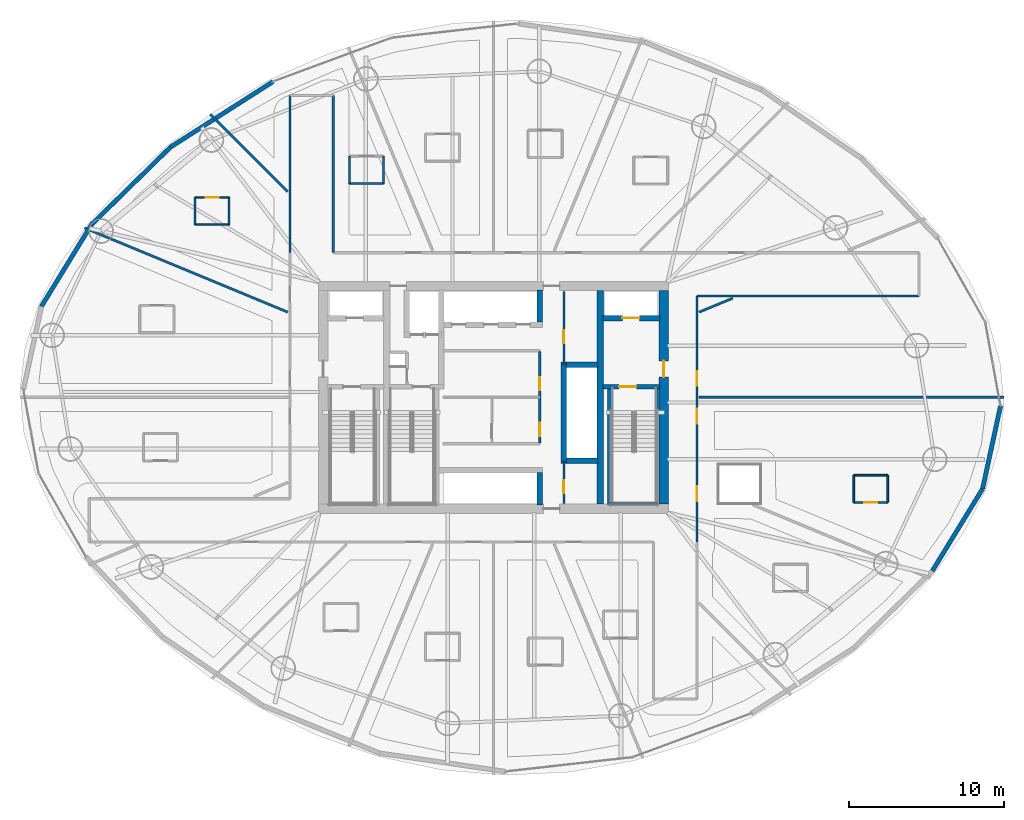
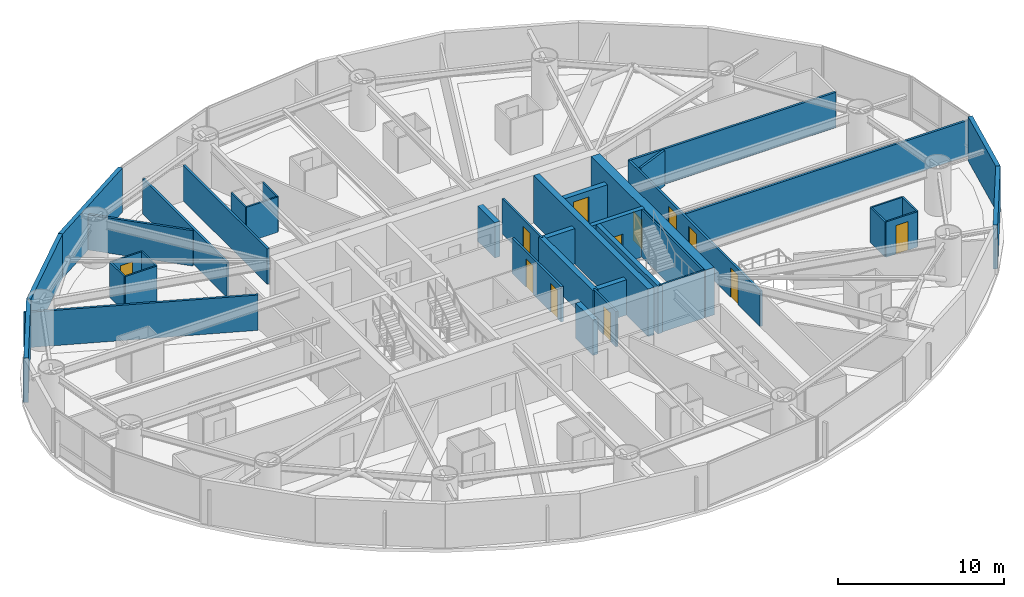
# One storey, part 21 of 27: 39 walls, 12 doors, 12 openings.
"""IFC4 building model written with IfcOpenShell, lengths in metres."""

from ifc_helpers import new_model, si_unit, direction, frame, frame_2d, origin, place, context, subcontext, project, spatial, rectangle, extrude, material, layer, layer_set, type_object, element, fill, save


model = new_model("IFC4")

# Units and contexts
model_context = context("Model", 3, precision=1e-05, world=origin(), true_north=direction((0.0, 1.0)))
body_context = subcontext(model_context, "Body", "Model", "MODEL_VIEW")
ifc_project = project(units=[si_unit("LENGTHUNIT", "METRE"), si_unit("AREAUNIT", "SQUARE_METRE"), si_unit("VOLUMEUNIT", "CUBIC_METRE"), si_unit("PLANEANGLEUNIT", "RADIAN"), si_unit("MASSUNIT", "GRAM", prefix="KILO")], contexts=[model_context])

# Site, building, storey
site_placement = place(None, origin())
site = spatial("IfcSite", under=ifc_project, at=site_placement, CompositionType="ELEMENT")
building_placement = place(site_placement, origin())
building = spatial("IfcBuilding", under=site, at=building_placement, Name="Bramvorn Convention Spire", CompositionType="ELEMENT")
storey_placement = place(building_placement, frame((0.0, 0.0, 41.39990234375)))
storey = spatial("IfcBuildingStorey", under=building, at=storey_placement, Name="L07", CompositionType="ELEMENT", Elevation=41.39990234375)

# Wall, opening, door
ifc_material_1 = material(Name="Concrete C60/70", Category="concrete")
ifc_layer_1 = layer(ifc_material_1, 0.60009765625)
ifc_layer_set_1 = layer_set([ifc_layer_1], Name="Concrete C60/70 - WL-CORE-600")
wall_type_1 = type_object("IfcWallType", Name="WL-CORE-600", PredefinedType="SHEAR", material=ifc_layer_set_1)
wall_1_placement = place(storey_placement, frame((49.0, 19.10009765625, 0.0), z_axis=(0.0, 0.0, 1.0), x_axis=(0.0, 1.0, 0.0)))
wall_1 = element("IfcWall", 1, at=wall_1_placement, inside=storey, type_object=wall_type_1, Name="L07 East RC core shear wall", PredefinedType="SHEAR", context=body_context, shape_type="SweptSolid", body=[
    extrude(rectangle(XDim=13.7998046875, YDim=0.60009765625, at=frame_2d((6.89990234375, 0.0))), origin(), (0.0, 0.0, 1.0), 3.5),
])
opening_1_placement = place(wall_1_placement, frame((8.199951171875, 0.0, 0.0)))
opening_1 = element("IfcOpeningElement", 2, at=opening_1_placement, cuts=wall_1, Name="Opening DL-105", PredefinedType="OPENING", context=body_context, shape_type="SweptSolid", body=[
    extrude(rectangle(XDim=1.050048828125, YDim=2.14990234375, at=frame_2d((0.52490234375, 1.074951171875))), frame((0.0, 0.31005859375, 0.0), z_axis=(0.0, -1.0, 0.0), x_axis=(1.0, 0.0, 0.0)), (0.0, 0.0, 1.0), 0.6201171875),
])
ifc_material_2 = material(Name="Smoke-Sealed Fire Lobby Timber-Core Door", Category="wood")
door_type_1 = type_object("IfcDoorType", Name="DR-LOBBY-1050", OperationType="NOTDEFINED", PredefinedType="DOOR", material=ifc_material_2)
door_1_placement = place(opening_1_placement, origin())
door_1 = element("IfcDoor", 3, at=door_1_placement, inside=storey, type_object=door_type_1, Name="L07 East Firefighting Lobby corridor door", OperationType="SINGLE_SWING_LEFT", OverallHeight=2.14990234375, OverallWidth=1.050048828125, PredefinedType="DOOR", context=body_context, shape_type="SweptSolid", body=[
    extrude(rectangle(XDim=1.050048828125, YDim=2.14990234375, at=frame_2d((0.52490234375, 1.074951171875))), frame((0.0, 0.02490234375, 0.0), z_axis=(0.0, -1.0, 0.0), x_axis=(1.0, 0.0, 0.0)), (0.0, 0.0, 1.0), 0.050048828125),
])
fill(opening_1, door_1)

ifc_material_3 = material(Name="Concrete C50/60", Category="concrete")
ifc_layer_2 = layer(ifc_material_3, 0.35009765625)
ifc_layer_set_2 = layer_set([ifc_layer_2], Name="Concrete C50/60 - WL-CORE-INT-350")
wall_type_2 = type_object("IfcWallType", Name="WL-CORE-INT-350", PredefinedType="SHEAR", material=ifc_layer_set_2)
wall_2_placement = place(storey_placement, frame((45.080078125, 31.1201171875, 0.0), z_axis=(0.0, 0.0, 1.0), x_axis=(1.0, 0.0, 0.0)))
wall_2 = element("IfcWall", 4, at=wall_2_placement, inside=storey, type_object=wall_type_2, Name="L07 FE2 shaft front wall", PredefinedType="SHEAR", context=body_context, shape_type="SweptSolid", body=[
    extrude(rectangle(XDim=3.669921875, YDim=0.35009765625, at=frame_2d((1.8349609375, 0.0))), origin(), (0.0, 0.0, 1.0), 2.60009765625),
])
opening_2_placement = place(wall_2_placement, frame((1.25, 0.0, 0.0)))
opening_2 = element("IfcOpeningElement", 5, at=opening_2_placement, cuts=wall_2, Name="Opening LD-110", PredefinedType="OPENING", context=body_context, shape_type="SweptSolid", body=[
    extrude(rectangle(XDim=1.10009765625, YDim=2.14990234375, at=frame_2d((0.550048828125, 1.074951171875))), frame((0.0, 0.18505859375, 0.0), z_axis=(0.0, -1.0, 0.0), x_axis=(1.0, 0.0, 0.0)), (0.0, 0.0, 1.0), 0.3701171875),
])
ifc_material_4 = material(Name="Firefighting & Service Lift Sliding Landing Door", Category="steel")
door_type_2 = type_object("IfcDoorType", Name="DR-LIFT-LD-1100", OperationType="NOTDEFINED", PredefinedType="DOOR", material=ifc_material_4)
door_2_placement = place(opening_2_placement, origin())
door_2 = element("IfcDoor", 6, at=door_2_placement, inside=storey, type_object=door_type_2, Name="L07 Lift FE2 Sliding Landing Door", OperationType="SLIDING_TO_LEFT", OverallHeight=2.14990234375, OverallWidth=1.10009765625, PredefinedType="DOOR", context=body_context, shape_type="SweptSolid", body=[
    extrude(rectangle(XDim=1.10009765625, YDim=2.14990234375, at=frame_2d((0.550048828125, 1.074951171875))), frame((0.0, 0.02490234375, 0.0), z_axis=(0.0, -1.0, 0.0), x_axis=(1.0, 0.0, 0.0)), (0.0, 0.0, 1.0), 0.050048828125),
])
fill(opening_2, door_2)

# Walls
wall_3_placement = place(storey_placement, frame((42.550048828125, 21.72998046875, 0.0), z_axis=(0.0, 0.0, 1.0), x_axis=(0.0, 1.0, 0.0)))
element("IfcWall", 7, at=wall_3_placement, inside=storey, type_object=wall_type_2, Name="L07 High-rise lift bank west wall", PredefinedType="SHEAR", context=body_context, shape_type="SweptSolid", body=[
    extrude(rectangle(XDim=6.5400390625, YDim=0.35009765625, at=frame_2d((3.27001953125, 0.0))), origin(), (0.0, 0.0, 1.0), 2.60009765625),
])
for number, where, z_axis, x_axis, name in (
    (8, (42.719970703125, 21.89990234375, 0.0), (0.0, 0.0, 1.0), (1.0, 0.0, 0.0), "L07 High-rise lift bank south wall"),
    (9, (42.719970703125, 28.10009765625, 0.0), (0.0, 0.0, 1.0), (1.0, 0.0, 0.0), "L07 High-rise lift bank north wall"),
):
    element("IfcWall", number, at=place(storey_placement, frame(where, z_axis=z_axis, x_axis=x_axis)), inside=storey, type_object=wall_type_2, Name=name, PredefinedType="SHEAR", context=body_context, shape_type="SweptSolid", body=[
        extrude(rectangle(XDim=2.030029296875, YDim=0.35009765625, at=frame_2d((1.01513671875, 0.0))), origin(), (0.0, 0.0, 1.0), 2.60009765625),
    ])
for number, where, z_axis, x_axis, name in (
    (10, (41.0, 30.8701171875, 0.0), (0.0, 0.0, 1.0), (0.0, 1.0, 0.0), "L07 Low-rise bank east cheek wall"),
    (11, (41.0, 19.050048828125, 0.0), (0.0, 0.0, 1.0), (0.0, 1.0, 0.0), "L07 Mid-rise bank east cheek wall"),
):
    element("IfcWall", number, at=place(storey_placement, frame(where, z_axis=z_axis, x_axis=x_axis)), inside=storey, type_object=wall_type_2, Name=name, PredefinedType="SHEAR", context=body_context, shape_type="SweptSolid", body=[
        extrude(rectangle(XDim=2.079833984375, YDim=0.35009765625, at=frame_2d((1.0400390625, 0.0))), origin(), (0.0, 0.0, 1.0), 2.60009765625),
    ])
ifc_layer_3 = layer(ifc_material_1, 0.39990234375)
ifc_layer_set_3 = layer_set([ifc_layer_3], Name="Concrete C60/70 - WL-CORE-INT-400")
wall_type_3 = type_object("IfcWallType", Name="WL-CORE-INT-400", PredefinedType="SHEAR", material=ifc_layer_set_3)
wall_4_placement = place(storey_placement, frame((44.89990234375, 19.10009765625, 0.0), z_axis=(0.0, 0.0, 1.0), x_axis=(0.0, 1.0, 0.0)))
element("IfcWall", 12, at=wall_4_placement, inside=storey, type_object=wall_type_3, Name="L07 East internal core shear web", PredefinedType="SHEAR", context=body_context, shape_type="SweptSolid", body=[
    extrude(rectangle(XDim=13.7998046875, YDim=0.39990234375, at=frame_2d((6.89990234375, 0.0))), origin(), (0.0, 0.0, 1.0), 3.5),
])
ifc_material_5 = material(Name="Precast Concrete C40/50 with Bronze Terracotta Rainscreen", Category="masonry")
ifc_layer_4 = layer(ifc_material_5, 0.300048828125)
ifc_layer_set_4 = layer_set([ifc_layer_4], Name="Precast Concrete C40/50 with Bronze Terracotta Rainscreen - WL-EXT-BRONZE-300")
wall_type_4 = type_object("IfcWallType", Name="WL-EXT-BRONZE-300", PredefinedType="SOLIDWALL", material=ifc_layer_set_4)
wall_5_placement = place(storey_placement, frame((17.134765625, 42.173095703125, 0.0), z_axis=(0.0, 0.0, 1.0), x_axis=(0.84275430181, 0.538298417962, 0.0)))
element("IfcWall", 13, at=wall_5_placement, inside=storey, type_object=wall_type_4, Name="L07 expressed bronze Gothic lancet pier wall 09", PredefinedType="SOLIDWALL", context=body_context, shape_type="SweptSolid", body=[
    extrude(rectangle(XDim=7.844970703125, YDim=0.280029296875, at=frame_2d((3.92236328125, 0.0))), origin(), (0.0, 0.0, 1.0), 3.25),
])
wall_6_placement = place(storey_placement, frame((12.03271484375, 37.174560546875, 0.0), z_axis=(0.0, 0.0, 1.0), x_axis=(0.714316037153, 0.699823262736, 0.0)))
element("IfcWall", 14, at=wall_6_placement, inside=storey, type_object=wall_type_4, Name="L07 expressed bronze Gothic lancet pier wall 10", PredefinedType="SOLIDWALL", context=body_context, shape_type="SweptSolid", body=[
    extrude(rectangle(XDim=7.142578125, YDim=0.280029296875, at=frame_2d((3.5712890625, 0.0))), origin(), (0.0, 0.0, 1.0), 3.25),
])
wall_7_placement = place(storey_placement, frame((8.78955078125, 31.876220703125, 0.0), z_axis=(0.0, 0.0, 1.0), x_axis=(0.522069850624, 0.852902732479, 0.0)))
element("IfcWall", 15, at=wall_7_placement, inside=storey, type_object=wall_type_4, Name="L07 expressed bronze Gothic lancet pier wall 11", PredefinedType="SOLIDWALL", context=body_context, shape_type="SweptSolid", body=[
    extrude(rectangle(XDim=6.212158203125, YDim=0.280029296875, at=frame_2d((3.10595703125, 0.0))), origin(), (0.0, 0.0, 1.0), 3.25),
])
wall_8_placement = place(storey_placement, frame((69.610107421875, 20.083984375, 0.0), z_axis=(0.0, 0.0, 1.0), x_axis=(-0.522041260758, -0.852920231948, 0.0)))
element("IfcWall", 16, at=wall_8_placement, inside=storey, type_object=wall_type_4, Name="L07 expressed bronze Gothic lancet pier wall 23", PredefinedType="SOLIDWALL", context=body_context, shape_type="SweptSolid", body=[
    extrude(rectangle(XDim=6.2119140625, YDim=0.280029296875, at=frame_2d((3.10595703125, 0.0))), origin(), (0.0, 0.0, 1.0), 3.25),
])
wall_9_placement = place(storey_placement, frame((70.775390625, 25.45654296875, 0.0), z_axis=(0.0, 0.0, 1.0), x_axis=(-0.211966847204, -0.977276857235, 0.0)))
element("IfcWall", 17, at=wall_9_placement, inside=storey, type_object=wall_type_4, Name="L07 expressed bronze Gothic lancet pier wall 24", PredefinedType="SOLIDWALL", context=body_context, shape_type="SweptSolid", body=[
    extrude(rectangle(XDim=5.49755859375, YDim=0.280029296875, at=frame_2d((2.748779296875, 0.0))), origin(), (0.0, 0.0, 1.0), 3.25),
])
ifc_material_6 = material(Name="Lightweight En-Suite & Wet-Wall Partition", Category="gypsum")
ifc_layer_5 = layer(ifc_material_6, 0.110107421875)
ifc_layer_set_5 = layer_set([ifc_layer_5], Name="Lightweight En-Suite & Wet-Wall Partition - WL-PART-110")
wall_type_5 = type_object("IfcWallType", Name="WL-PART-110", PredefinedType="PARTITIONING", material=ifc_layer_set_5)
wall_10_placement = place(storey_placement, frame((28.69189453125, 39.81591796875, 0.0), z_axis=(0.0, 0.0, 1.0), x_axis=(1.0, 0.0, 0.0)))
element("IfcWall", 18, at=wall_10_placement, inside=storey, type_object=wall_type_5, Name="Hotel Suite 0706 en-suite south wall", PredefinedType="PARTITIONING", context=body_context, shape_type="SweptSolid", body=[
    extrude(rectangle(XDim=2.2001953125, YDim=0.110107421875, at=frame_2d((1.10009765625, 0.0))), origin(), (0.0, 0.0, 1.0), 2.60009765625),
])
for number, where, z_axis, x_axis, name in (
    (19, (28.69189453125, 39.81591796875, 0.0), (0.0, 0.0, 1.0), (0.0, 1.0, 0.0), "Hotel Suite 0706 en-suite west wall"),
    (20, (30.89208984375, 39.81591796875, 0.0), (0.0, 0.0, 1.0), (0.0, 1.0, 0.0), "Hotel Suite 0706 en-suite east wall"),
):
    element("IfcWall", number, at=place(storey_placement, frame(where, z_axis=z_axis, x_axis=x_axis)), inside=storey, type_object=wall_type_5, Name=name, PredefinedType="PARTITIONING", context=body_context, shape_type="SweptSolid", body=[
        extrude(rectangle(XDim=1.759765625, YDim=0.110107421875, at=frame_2d((0.8798828125, 0.0))), origin(), (0.0, 0.0, 1.0), 2.60009765625),
    ])
wall_11_placement = place(storey_placement, frame((18.7158203125, 37.160888671875, 0.0), z_axis=(0.0, 0.0, 1.0), x_axis=(1.0, 0.0, 0.0)))
element("IfcWall", 21, at=wall_11_placement, inside=storey, type_object=wall_type_5, Name="Hotel Suite 0707 en-suite south wall", PredefinedType="PARTITIONING", context=body_context, shape_type="SweptSolid", body=[
    extrude(rectangle(XDim=2.199951171875, YDim=0.110107421875, at=frame_2d((1.10009765625, 0.0))), origin(), (0.0, 0.0, 1.0), 2.60009765625),
])

# Wall, opening, door
wall_12_placement = place(storey_placement, frame((18.7158203125, 38.9208984375, 0.0), z_axis=(0.0, 0.0, 1.0), x_axis=(1.0, 0.0, 0.0)))
wall_12 = element("IfcWall", 22, at=wall_12_placement, inside=storey, type_object=wall_type_5, Name="Hotel Suite 0707 en-suite north wall", PredefinedType="PARTITIONING", context=body_context, shape_type="SweptSolid", body=[
    extrude(rectangle(XDim=2.199951171875, YDim=0.110107421875, at=frame_2d((1.10009765625, 0.0))), origin(), (0.0, 0.0, 1.0), 2.60009765625),
])
opening_3_placement = place(wall_12_placement, frame((0.679931640625, 0.0, 0.0)))
opening_3 = element("IfcOpeningElement", 23, at=opening_3_placement, cuts=wall_12, Name="Opening DI-085", PredefinedType="OPENING", context=body_context, shape_type="SweptSolid", body=[
    extrude(rectangle(XDim=0.85009765625, YDim=2.10009765625, at=frame_2d((0.425048828125, 1.050048828125))), frame((0.0, 0.06494140625, 0.0), z_axis=(0.0, -1.0, 0.0), x_axis=(1.0, 0.0, 0.0)), (0.0, 0.0, 1.0), 0.130126953125),
])
ifc_material_7 = material(Name="En-Suite & Restroom Privacy Door", Category="wood")
door_type_3 = type_object("IfcDoorType", Name="DR-INT-850", OperationType="NOTDEFINED", PredefinedType="DOOR", material=ifc_material_7)
door_3_placement = place(opening_3_placement, origin())
door_3 = element("IfcDoor", 24, at=door_3_placement, inside=storey, type_object=door_type_3, Name="Hotel Suite 0707 En-Suite Bathroom door", OperationType="SINGLE_SWING_LEFT", OverallHeight=2.10009765625, OverallWidth=0.85009765625, PredefinedType="DOOR", context=body_context, shape_type="SweptSolid", body=[
    extrude(rectangle(XDim=0.85009765625, YDim=2.10009765625, at=frame_2d((0.425048828125, 1.050048828125))), frame((0.0, 0.02490234375, 0.0), z_axis=(0.0, -1.0, 0.0), x_axis=(1.0, 0.0, 0.0)), (0.0, 0.0, 1.0), 0.050048828125),
])
fill(opening_3, door_3)

# Walls
for number, where, z_axis, x_axis, name in (
    (25, (18.7158203125, 37.160888671875, 0.0), (0.0, 0.0, 1.0), (0.0, 1.0, 0.0), "Hotel Suite 0707 en-suite west wall"),
    (26, (20.915771484375, 37.160888671875, 0.0), (0.0, 0.0, 1.0), (0.0, 1.0, 0.0), "Hotel Suite 0707 en-suite east wall"),
):
    element("IfcWall", number, at=place(storey_placement, frame(where, z_axis=z_axis, x_axis=x_axis)), inside=storey, type_object=wall_type_5, Name=name, PredefinedType="PARTITIONING", context=body_context, shape_type="SweptSolid", body=[
        extrude(rectangle(XDim=1.760009765625, YDim=0.110107421875, at=frame_2d((0.8798828125, 0.0))), origin(), (0.0, 0.0, 1.0), 2.60009765625),
    ])

# Wall, opening, door
wall_13_placement = place(storey_placement, frame((61.283447265625, 19.204345703125, 0.0), z_axis=(0.0, 0.0, 1.0), x_axis=(1.0, 0.0, 0.0)))
wall_13 = element("IfcWall", 27, at=wall_13_placement, inside=storey, type_object=wall_type_5, Name="Hotel Suite 0716 en-suite south wall", PredefinedType="PARTITIONING", context=body_context, shape_type="SweptSolid", body=[
    extrude(rectangle(XDim=2.199951171875, YDim=0.110107421875, at=frame_2d((1.10009765625, 0.0))), origin(), (0.0, 0.0, 1.0), 2.60009765625),
])
opening_4_placement = place(wall_13_placement, frame((0.679931640625, 0.0, 0.0)))
opening_4 = element("IfcOpeningElement", 28, at=opening_4_placement, cuts=wall_13, Name="Opening DI-085", PredefinedType="OPENING", context=body_context, shape_type="SweptSolid", body=[
    extrude(rectangle(XDim=0.85009765625, YDim=2.10009765625, at=frame_2d((0.425048828125, 1.050048828125))), frame((0.0, 0.06494140625, 0.0), z_axis=(0.0, -1.0, 0.0), x_axis=(1.0, 0.0, 0.0)), (0.0, 0.0, 1.0), 0.130126953125),
])
door_4_placement = place(opening_4_placement, origin())
door_4 = element("IfcDoor", 29, at=door_4_placement, inside=storey, type_object=door_type_3, Name="Hotel Suite 0716 En-Suite Bathroom door", OperationType="SINGLE_SWING_LEFT", OverallHeight=2.10009765625, OverallWidth=0.85009765625, PredefinedType="DOOR", context=body_context, shape_type="SweptSolid", body=[
    extrude(rectangle(XDim=0.85009765625, YDim=2.10009765625, at=frame_2d((0.425048828125, 1.050048828125))), frame((0.0, 0.02490234375, 0.0), z_axis=(0.0, -1.0, 0.0), x_axis=(1.0, 0.0, 0.0)), (0.0, 0.0, 1.0), 0.050048828125),
])
fill(opening_4, door_4)

# Walls
wall_14_placement = place(storey_placement, frame((61.283447265625, 20.96435546875, 0.0), z_axis=(0.0, 0.0, 1.0), x_axis=(1.0, 0.0, 0.0)))
element("IfcWall", 30, at=wall_14_placement, inside=storey, type_object=wall_type_5, Name="Hotel Suite 0716 en-suite north wall", PredefinedType="PARTITIONING", context=body_context, shape_type="SweptSolid", body=[
    extrude(rectangle(XDim=2.199951171875, YDim=0.110107421875, at=frame_2d((1.10009765625, 0.0))), origin(), (0.0, 0.0, 1.0), 2.60009765625),
])
for number, where, z_axis, x_axis, name in (
    (31, (61.283447265625, 19.204345703125, 0.0), (0.0, 0.0, 1.0), (0.0, 1.0, 0.0), "Hotel Suite 0716 en-suite west wall"),
    (32, (63.4833984375, 19.204345703125, 0.0), (0.0, 0.0, 1.0), (0.0, 1.0, 0.0), "Hotel Suite 0716 en-suite east wall"),
):
    element("IfcWall", number, at=place(storey_placement, frame(where, z_axis=z_axis, x_axis=x_axis)), inside=storey, type_object=wall_type_5, Name=name, PredefinedType="PARTITIONING", context=body_context, shape_type="SweptSolid", body=[
        extrude(rectangle(XDim=1.760009765625, YDim=0.110107421875, at=frame_2d((0.8798828125, 0.0))), origin(), (0.0, 0.0, 1.0), 2.60009765625),
    ])

# Wall, opening, door
ifc_material_8 = material(Name="Metal-Stud Demountable Office Partition", Category="gypsum")
ifc_layer_6 = layer(ifc_material_8, 0.1298828125)
ifc_layer_set_6 = layer_set([ifc_layer_6], Name="Metal-Stud Demountable Office Partition - WL-PART-130")
wall_type_6 = type_object("IfcWallType", Name="WL-PART-130", PredefinedType="PARTITIONING", material=ifc_layer_set_6)
wall_15_placement = place(storey_placement, frame((42.550048828125, 28.10009765625, 0.0), z_axis=(0.0, 0.0, 1.0), x_axis=(0.0, 1.0, 0.0)))
wall_15 = element("IfcWall", 33, at=wall_15_placement, inside=storey, type_object=wall_type_6, Name="L07 KA NE IDF wall", PredefinedType="PARTITIONING", context=body_context, shape_type="SweptSolid", body=[
    extrude(rectangle(XDim=4.75, YDim=0.1298828125, at=frame_2d((2.375, 0.0))), origin(), (0.0, 0.0, 1.0), 2.60009765625),
])
opening_5_placement = place(wall_15_placement, frame((1.39990234375, 0.0, 0.0)))
opening_5 = element("IfcOpeningElement", 34, at=opening_5_placement, cuts=wall_15, Name="Opening DC-085", PredefinedType="OPENING", context=body_context, shape_type="SweptSolid", body=[
    extrude(rectangle(XDim=0.85009765625, YDim=2.10009765625, at=frame_2d((0.425048828125, 1.050048828125))), frame((0.0, 0.074951171875, 0.0), z_axis=(0.0, -1.0, 0.0), x_axis=(1.0, 0.0, 0.0)), (0.0, 0.0, 1.0), 0.14990234375),
])
ifc_material_9 = material(Name="Fire-Rated Core Washroom & IDF Door", Category="wood")
door_type_4 = type_object("IfcDoorType", Name="DR-CORE-850", OperationType="NOTDEFINED", PredefinedType="DOOR", material=ifc_material_9)
door_5_placement = place(opening_5_placement, origin())
door_5 = element("IfcDoor", 35, at=door_5_placement, inside=storey, type_object=door_type_4, Name="L07 Core IDF & BMS Room door", OperationType="SINGLE_SWING_LEFT", OverallHeight=2.10009765625, OverallWidth=0.85009765625, PredefinedType="DOOR", context=body_context, shape_type="SweptSolid", body=[
    extrude(rectangle(XDim=0.85009765625, YDim=2.10009765625, at=frame_2d((0.425048828125, 1.050048828125))), frame((0.0, 0.02490234375, 0.0), z_axis=(0.0, -1.0, 0.0), x_axis=(1.0, 0.0, 0.0)), (0.0, 0.0, 1.0), 0.050048828125),
])
fill(opening_5, door_5)

wall_16_placement = place(storey_placement, frame((42.550048828125, 19.14990234375, 0.0), z_axis=(0.0, 0.0, 1.0), x_axis=(0.0, 1.0, 0.0)))
wall_16 = element("IfcWall", 36, at=wall_16_placement, inside=storey, type_object=wall_type_6, Name="L07 KA SE store wall", PredefinedType="PARTITIONING", context=body_context, shape_type="SweptSolid", body=[
    extrude(rectangle(XDim=2.75, YDim=0.1298828125, at=frame_2d((1.375, 0.0))), origin(), (0.0, 0.0, 1.0), 2.60009765625),
])
opening_6_placement = place(wall_16_placement, frame((0.64990234375, 0.0, 0.0)))
opening_6 = element("IfcOpeningElement", 37, at=opening_6_placement, cuts=wall_16, Name="Opening DC-085", PredefinedType="OPENING", context=body_context, shape_type="SweptSolid", body=[
    extrude(rectangle(XDim=0.85009765625, YDim=2.10009765625, at=frame_2d((0.425048828125, 1.050048828125))), frame((0.0, 0.074951171875, 0.0), z_axis=(0.0, -1.0, 0.0), x_axis=(1.0, 0.0, 0.0)), (0.0, 0.0, 1.0), 0.14990234375),
])
door_6_placement = place(opening_6_placement, origin())
door_6 = element("IfcDoor", 38, at=door_6_placement, inside=storey, type_object=door_type_4, Name="L07 Floor Housekeeping & Linen Store door", OperationType="SINGLE_SWING_LEFT", OverallHeight=2.10009765625, OverallWidth=0.85009765625, PredefinedType="DOOR", context=body_context, shape_type="SweptSolid", body=[
    extrude(rectangle(XDim=0.85009765625, YDim=2.10009765625, at=frame_2d((0.425048828125, 1.050048828125))), frame((0.0, 0.02490234375, 0.0), z_axis=(0.0, -1.0, 0.0), x_axis=(1.0, 0.0, 0.0)), (0.0, 0.0, 1.0), 0.050048828125),
])
fill(opening_6, door_6)

# Wall, openings, doors
ifc_material_10 = material(Name="Acoustic Metal-Stud Tenant/Corridor Partition", Category="gypsum")
ifc_layer_7 = layer(ifc_material_10, 0.14990234375)
ifc_layer_set_7 = layer_set([ifc_layer_7], Name="Acoustic Metal-Stud Tenant/Corridor Partition - WL-PART-150")
wall_type_7 = type_object("IfcWallType", Name="WL-PART-150", PredefinedType="PARTITIONING", material=ifc_layer_set_7)
wall_17_placement = place(storey_placement, frame((41.0, 23.050048828125, 0.0), z_axis=(0.0, 0.0, 1.0), x_axis=(0.0, 1.0, 0.0)))
wall_17 = element("IfcWall", 39, at=wall_17_placement, inside=storey, type_object=wall_type_7, Name="L07 KA east core wall", PredefinedType="PARTITIONING", context=body_context, shape_type="SweptSolid", body=[
    extrude(rectangle(XDim=5.89990234375, YDim=0.14990234375, at=frame_2d((2.949951171875, 0.0))), origin(), (0.0, 0.0, 1.0), 2.60009765625),
])
opening_7_placement = place(wall_17_placement, frame((3.39990234375, 0.0, 0.0)))
opening_7 = element("IfcOpeningElement", 40, at=opening_7_placement, cuts=wall_17, Name="Opening DC-085", PredefinedType="OPENING", context=body_context, shape_type="SweptSolid", body=[
    extrude(rectangle(XDim=0.85009765625, YDim=2.10009765625, at=frame_2d((0.425048828125, 1.050048828125))), frame((0.0, 0.0849609375, 0.0), z_axis=(0.0, -1.0, 0.0), x_axis=(1.0, 0.0, 0.0)), (0.0, 0.0, 1.0), 0.169921875),
])
opening_8_placement = place(wall_17_placement, frame((0.449951171875, 0.0, 0.0)))
opening_8 = element("IfcOpeningElement", 41, at=opening_8_placement, cuts=wall_17, Name="Opening DC-085", PredefinedType="OPENING", context=body_context, shape_type="SweptSolid", body=[
    extrude(rectangle(XDim=0.85009765625, YDim=2.10009765625, at=frame_2d((0.425048828125, 1.050048828125))), frame((0.0, 0.0849609375, 0.0), z_axis=(0.0, -1.0, 0.0), x_axis=(1.0, 0.0, 0.0)), (0.0, 0.0, 1.0), 0.169921875),
])
door_7_placement = place(opening_7_placement, origin())
door_7 = element("IfcDoor", 42, at=door_7_placement, inside=storey, type_object=door_type_4, Name="L07 Core Linen & Equipment Store door", OperationType="SINGLE_SWING_LEFT", OverallHeight=2.10009765625, OverallWidth=0.85009765625, PredefinedType="DOOR", context=body_context, shape_type="SweptSolid", body=[
    extrude(rectangle(XDim=0.85009765625, YDim=2.10009765625, at=frame_2d((0.425048828125, 1.050048828125))), frame((0.0, 0.02490234375, 0.0), z_axis=(0.0, -1.0, 0.0), x_axis=(1.0, 0.0, 0.0)), (0.0, 0.0, 1.0), 0.050048828125),
])
fill(opening_7, door_7)
door_8_placement = place(opening_8_placement, origin())
door_8 = element("IfcDoor", 43, at=door_8_placement, inside=storey, type_object=door_type_4, Name="L07 Accessible Core Restroom door", OperationType="SINGLE_SWING_LEFT", OverallHeight=2.10009765625, OverallWidth=0.85009765625, PredefinedType="DOOR", context=body_context, shape_type="SweptSolid", body=[
    extrude(rectangle(XDim=0.85009765625, YDim=2.10009765625, at=frame_2d((0.425048828125, 1.050048828125))), frame((0.0, 0.02490234375, 0.0), z_axis=(0.0, -1.0, 0.0), x_axis=(1.0, 0.0, 0.0)), (0.0, 0.0, 1.0), 0.050048828125),
])
fill(opening_8, door_8)

wall_18_placement = place(storey_placement, frame((51.14990234375, 16.64990234375, 0.0), z_axis=(0.0, 0.0, 1.0), x_axis=(0.0, 1.0, 0.0)))
wall_18 = element("IfcWall", 44, at=wall_18_placement, inside=storey, type_object=wall_type_7, Name="L07 East ring corridor wall", PredefinedType="PARTITIONING", context=body_context, shape_type="SweptSolid", body=[
    extrude(rectangle(XDim=15.900146484375, YDim=0.14990234375, at=frame_2d((7.9501953125, 0.0))), origin(), (0.0, 0.0, 1.0), 2.60009765625),
])
opening_9_placement = place(wall_18_placement, frame((10.100830078125, 0.0, 0.0)))
opening_9 = element("IfcOpeningElement", 45, at=opening_9_placement, cuts=wall_18, Name="Opening DH-095", PredefinedType="OPENING", context=body_context, shape_type="SweptSolid", body=[
    extrude(rectangle(XDim=0.949951171875, YDim=2.14990234375, at=frame_2d((0.47509765625, 1.074951171875))), frame((0.0, 0.0849609375, 0.0), z_axis=(0.0, -1.0, 0.0), x_axis=(1.0, 0.0, 0.0)), (0.0, 0.0, 1.0), 0.169921875),
])
opening_10_placement = place(wall_18_placement, frame((2.637451171875, 0.0, 0.0)))
opening_10 = element("IfcOpeningElement", 46, at=opening_10_placement, cuts=wall_18, Name="Opening DH-095", PredefinedType="OPENING", context=body_context, shape_type="SweptSolid", body=[
    extrude(rectangle(XDim=0.949951171875, YDim=2.14990234375, at=frame_2d((0.47509765625, 1.074951171875))), frame((0.0, 0.0849609375, 0.0), z_axis=(0.0, -1.0, 0.0), x_axis=(1.0, 0.0, 0.0)), (0.0, 0.0, 1.0), 0.169921875),
])
opening_11_placement = place(wall_18_placement, frame((7.649169921875, 0.0, 0.0)))
opening_11 = element("IfcOpeningElement", 47, at=opening_11_placement, cuts=wall_18, Name="Opening DH-095", PredefinedType="OPENING", context=body_context, shape_type="SweptSolid", body=[
    extrude(rectangle(XDim=0.949951171875, YDim=2.14990234375, at=frame_2d((0.47509765625, 1.074951171875))), frame((0.0, 0.0849609375, 0.0), z_axis=(0.0, -1.0, 0.0), x_axis=(1.0, 0.0, 0.0)), (0.0, 0.0, 1.0), 0.169921875),
])
ifc_material_11 = material(Name="Solid-Core Acoustic Guestroom Entry Door", Category="wood")
door_type_5 = type_object("IfcDoorType", Name="DR-HOTEL-950", OperationType="NOTDEFINED", PredefinedType="DOOR", material=ifc_material_11)
door_9_placement = place(opening_9_placement, origin())
door_9 = element("IfcDoor", 48, at=door_9_placement, inside=storey, type_object=door_type_5, Name="L07 Hospitality Lounge 1 door", OperationType="SINGLE_SWING_RIGHT", OverallHeight=2.14990234375, OverallWidth=0.949951171875, PredefinedType="DOOR", context=body_context, shape_type="SweptSolid", body=[
    extrude(rectangle(XDim=0.949951171875, YDim=2.14990234375, at=frame_2d((0.47509765625, 1.074951171875))), frame((0.0, 0.02490234375, 0.0), z_axis=(0.0, -1.0, 0.0), x_axis=(1.0, 0.0, 0.0)), (0.0, 0.0, 1.0), 0.050048828125),
])
fill(opening_9, door_9)
door_10_placement = place(opening_10_placement, origin())
door_10 = element("IfcDoor", 49, at=door_10_placement, inside=storey, type_object=door_type_5, Name="Hotel Suite 0715 entry door", OperationType="SINGLE_SWING_LEFT", OverallHeight=2.14990234375, OverallWidth=0.949951171875, PredefinedType="DOOR", context=body_context, shape_type="SweptSolid", body=[
    extrude(rectangle(XDim=0.949951171875, YDim=2.14990234375, at=frame_2d((0.47509765625, 1.074951171875))), frame((0.0, 0.02490234375, 0.0), z_axis=(0.0, -1.0, 0.0), x_axis=(1.0, 0.0, 0.0)), (0.0, 0.0, 1.0), 0.050048828125),
])
fill(opening_10, door_10)
door_11_placement = place(opening_11_placement, origin())
door_11 = element("IfcDoor", 50, at=door_11_placement, inside=storey, type_object=door_type_5, Name="Hotel Suite 0716 entry door", OperationType="SINGLE_SWING_LEFT", OverallHeight=2.14990234375, OverallWidth=0.949951171875, PredefinedType="DOOR", context=body_context, shape_type="SweptSolid", body=[
    extrude(rectangle(XDim=0.949951171875, YDim=2.14990234375, at=frame_2d((0.47509765625, 1.074951171875))), frame((0.0, 0.02490234375, 0.0), z_axis=(0.0, -1.0, 0.0), x_axis=(1.0, 0.0, 0.0)), (0.0, 0.0, 1.0), 0.050048828125),
])
fill(opening_11, door_11)

# Walls
wall_19_placement = place(storey_placement, frame((51.14990234375, 32.550048828125, 0.0), z_axis=(0.0, 0.0, 1.0), x_axis=(1.0, 0.0, 0.0)))
element("IfcWall", 51, at=wall_19_placement, inside=storey, type_object=wall_type_7, Name="L07 NE pinwheel wing south wall", PredefinedType="PARTITIONING", context=body_context, shape_type="SweptSolid", body=[
    extrude(rectangle(XDim=14.35009765625, YDim=0.14990234375, at=frame_2d((7.175048828125, 0.0))), origin(), (0.0, 0.0, 1.0), 2.60009765625),
])
for number, where, z_axis, x_axis, name in (
    (52, (24.85009765625, 35.35009765625, 0.0), (0.0, 0.0, 1.0), (0.0, 1.0, 0.0), "L07 NW pinwheel wing west wall"),
    (53, (27.64990234375, 35.35009765625, 0.0), (0.0, 0.0, 1.0), (0.0, 1.0, 0.0), "L07 NW pinwheel wing east wall"),
):
    element("IfcWall", number, at=place(storey_placement, frame(where, z_axis=z_axis, x_axis=x_axis)), inside=storey, type_object=wall_type_7, Name=name, PredefinedType="PARTITIONING", context=body_context, shape_type="SweptSolid", body=[
        extrude(rectangle(XDim=10.14990234375, YDim=0.14990234375, at=frame_2d((5.074951171875, 0.0))), origin(), (0.0, 0.0, 1.0), 2.60009765625),
    ])
wall_20_placement = place(storey_placement, frame((51.2900390625, 26.0, 0.0), z_axis=(0.0, 0.0, 1.0), x_axis=(1.0, 0.0, 0.0)))
element("IfcWall", 54, at=wall_20_placement, inside=storey, type_object=wall_type_7, Name="L07 Guestroom demising wall 1", PredefinedType="PARTITIONING", context=body_context, shape_type="SweptSolid", body=[
    extrude(rectangle(XDim=19.68994140625, YDim=0.14990234375, at=frame_2d((9.844970703125, 0.0))), origin(), (0.0, 0.0, 1.0), 2.60009765625),
])
wall_21_placement = place(storey_placement, frame((51.2900390625, 31.5048828125, 0.0), z_axis=(0.0, 0.0, 1.0), x_axis=(0.923887247067, 0.382664807249, 0.0)))
element("IfcWall", 55, at=wall_21_placement, inside=storey, type_object=wall_type_7, Name="L07 Guestroom demising wall 2", PredefinedType="PARTITIONING", context=body_context, shape_type="SweptSolid", body=[
    extrude(rectangle(XDim=2.364990234375, YDim=0.14990234375, at=frame_2d((1.1826171875, 0.0))), origin(), (0.0, 0.0, 1.0), 2.60009765625),
])
wall_22_placement = place(storey_placement, frame((24.7099609375, 39.2900390625, 0.0), z_axis=(0.0, 0.0, 1.0), x_axis=(-0.707106781187, 0.707106781187, 0.0)))
element("IfcWall", 56, at=wall_22_placement, inside=storey, type_object=wall_type_7, Name="L07 Guestroom demising wall 7", PredefinedType="PARTITIONING", context=body_context, shape_type="SweptSolid", body=[
    extrude(rectangle(XDim=7.0986328125, YDim=0.14990234375, at=frame_2d((3.54931640625, 0.0))), origin(), (0.0, 0.0, 1.0), 2.60009765625),
])
wall_23_placement = place(storey_placement, frame((24.7099609375, 31.5048828125, 0.0), z_axis=(0.0, 0.0, 1.0), x_axis=(-0.923878333013, 0.382686328197, 0.0)))
element("IfcWall", 57, at=wall_23_placement, inside=storey, type_object=wall_type_7, Name="L07 Guestroom demising wall 8", PredefinedType="PARTITIONING", context=body_context, shape_type="SweptSolid", body=[
    extrude(rectangle(XDim=14.222900390625, YDim=0.14990234375, at=frame_2d((7.111328125, 0.0))), origin(), (0.0, 0.0, 1.0), 2.60009765625),
])

# Wall, opening, door
ifc_layer_8 = layer(ifc_material_3, 0.300048828125)
ifc_layer_set_8 = layer_set([ifc_layer_8], Name="Concrete C50/60 - WL-POD-STAIR-300")
wall_type_8 = type_object("IfcWallType", Name="WL-POD-STAIR-300", PredefinedType="SHEAR", material=ifc_layer_set_8)
wall_24_placement = place(storey_placement, frame((45.080078125, 26.68994140625, 0.0), z_axis=(0.0, 0.0, 1.0), x_axis=(1.0, 0.0, 0.0)))
wall_24 = element("IfcWall", 58, at=wall_24_placement, inside=storey, type_object=wall_type_8, Name="L07 ST2 north fire wall", PredefinedType="SHEAR", context=body_context, shape_type="SweptSolid", body=[
    extrude(rectangle(XDim=3.669921875, YDim=0.300048828125, at=frame_2d((1.8349609375, 0.0))), origin(), (0.0, 0.0, 1.0), 3.5),
])
opening_12_placement = place(wall_24_placement, frame((1.050048828125, 0.0, 0.0)))
opening_12 = element("IfcOpeningElement", 59, at=opening_12_placement, cuts=wall_24, Name="Opening DS-110", PredefinedType="OPENING", context=body_context, shape_type="SweptSolid", body=[
    extrude(rectangle(XDim=1.10009765625, YDim=2.14990234375, at=frame_2d((0.550048828125, 1.074951171875))), frame((0.0, 0.159912109375, 0.0), z_axis=(0.0, -1.0, 0.0), x_axis=(1.0, 0.0, 0.0)), (0.0, 0.0, 1.0), 0.320068359375),
])
ifc_material_12 = material(Name="Fire-Rated Hollow Steel Stairwell Door", Category="steel")
door_type_6 = type_object("IfcDoorType", Name="DR-STAIR-1100", OperationType="NOTDEFINED", PredefinedType="DOOR", material=ifc_material_12)
door_12_placement = place(opening_12_placement, origin())
door_12 = element("IfcDoor", 60, at=door_12_placement, inside=storey, type_object=door_type_6, Name="L07 Stair ST2 fire door", OperationType="SINGLE_SWING_RIGHT", OverallHeight=2.14990234375, OverallWidth=1.10009765625, PredefinedType="DOOR", context=body_context, shape_type="SweptSolid", body=[
    extrude(rectangle(XDim=1.10009765625, YDim=2.14990234375, at=frame_2d((0.550048828125, 1.074951171875))), frame((0.0, 0.02490234375, 0.0), z_axis=(0.0, -1.0, 0.0), x_axis=(1.0, 0.0, 0.0)), (0.0, 0.0, 1.0), 0.050048828125),
])
fill(opening_12, door_12)

# Walls
wall_25_placement = place(storey_placement, frame((45.510009765625, 19.050048828125, 0.0), z_axis=(0.0, 0.0, 1.0), x_axis=(0.0, 1.0, 0.0)))
element("IfcWall", 61, at=wall_25_placement, inside=storey, type_object=wall_type_8, Name="L07 ST2 west bearing wall", PredefinedType="SHEAR", context=body_context, shape_type="SweptSolid", body=[
    extrude(rectangle(XDim=7.5, YDim=0.300048828125, at=frame_2d((3.75, 0.0))), origin(), (0.0, 0.0, 1.0), 3.5),
])
ifc_layer_9 = layer(ifc_material_3, 0.1201171875)
ifc_layer_set_9 = layer_set([ifc_layer_9], Name="Concrete C50/60 - WL-STAIR-RC-120")
wall_type_9 = type_object("IfcWallType", Name="WL-STAIR-RC-120", PredefinedType="SHEAR", material=ifc_layer_set_9)
wall_26_placement = place(storey_placement, frame((48.60498046875, 19.10009765625, 0.0), z_axis=(0.0, 0.0, 1.0), x_axis=(0.0, 1.0, 0.0)))
element("IfcWall", 62, at=wall_26_placement, inside=storey, type_object=wall_type_9, Name="L07 ST2 east bearing shear wall", PredefinedType="SHEAR", context=body_context, shape_type="SweptSolid", body=[
    extrude(rectangle(XDim=7.449951171875, YDim=0.1201171875, at=frame_2d((3.72509765625, 0.0))), origin(), (0.0, 0.0, 1.0), 3.5),
])
wall_27_placement = place(storey_placement, frame((45.510009765625, 19.159912109375, 0.0), z_axis=(0.0, 0.0, 1.0), x_axis=(1.0, 0.0, 0.0)))
element("IfcWall", 63, at=wall_27_placement, inside=storey, type_object=wall_type_9, Name="L07 ST2 south bearing shear wall", PredefinedType="SHEAR", context=body_context, shape_type="SweptSolid", body=[
    extrude(rectangle(XDim=3.094970703125, YDim=0.1201171875, at=frame_2d((1.54736328125, 0.0))), origin(), (0.0, 0.0, 1.0), 3.5),
])

save(model, "model.ifc")
